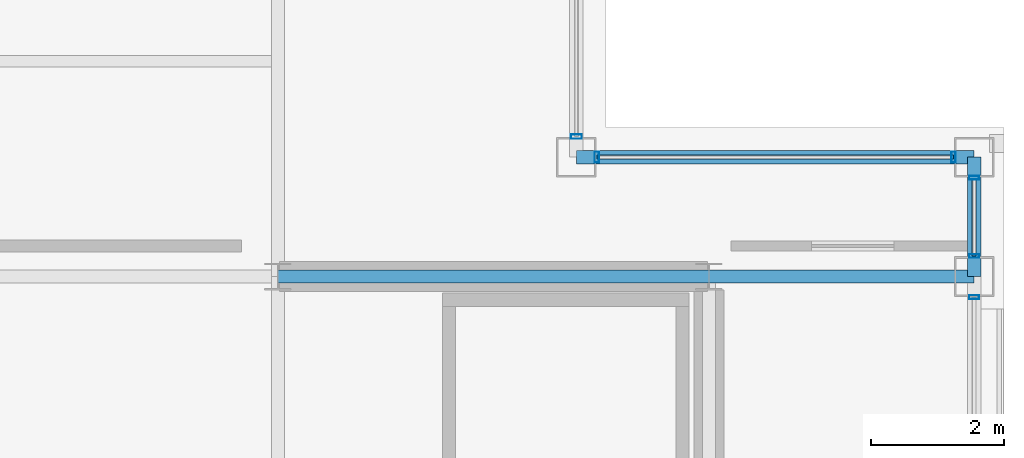
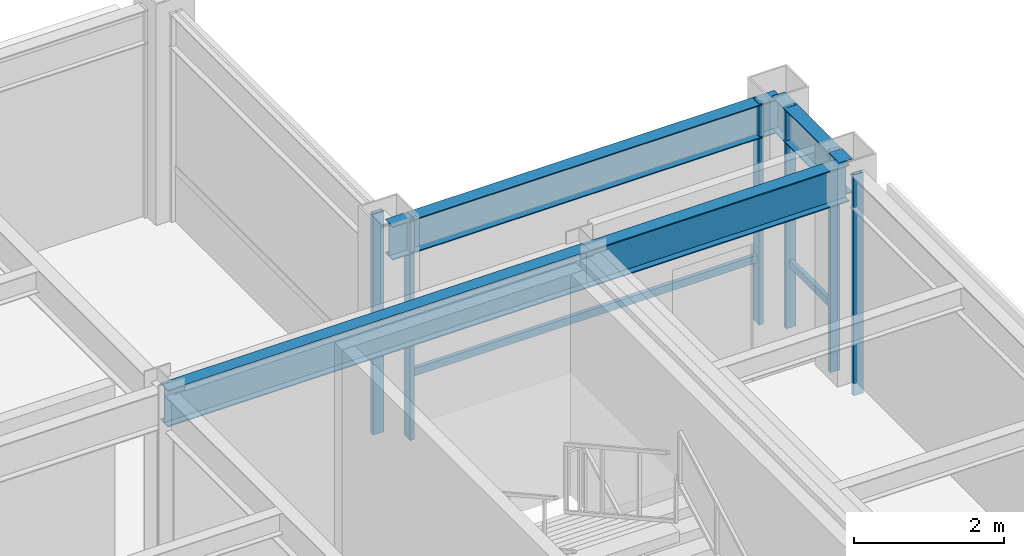
# One storey, part 17 of 27: 8 members, 4 beams, 4 elements without a shape of their own.
"""IFC4 building model written with IfcOpenShell, lengths in metres."""

from ifc_helpers import new_model, si_unit, direction, frame, origin, origin_2d, place, context, subcontext, project, spatial, hollow_rectangle, i_section, extrude, material, layer, layer_set, material_profile, profile_set, type_object, element, aggregate, save


model = new_model("IFC4")

# Units and contexts
model_context = context("Model", 3, precision=1e-05, world=origin(), true_north=direction((0.0, 1.0)))
body_context = subcontext(model_context, "Body", "Model", "MODEL_VIEW")
ifc_project = project(units=[si_unit("LENGTHUNIT", "METRE"), si_unit("AREAUNIT", "SQUARE_METRE"), si_unit("VOLUMEUNIT", "CUBIC_METRE"), si_unit("PLANEANGLEUNIT", "RADIAN"), si_unit("MASSUNIT", "GRAM", prefix="KILO")], contexts=[model_context])

# Site, building, storey
site_placement = place(None, origin())
site = spatial("IfcSite", under=ifc_project, at=site_placement, CompositionType="ELEMENT")
building_placement = place(site_placement, origin())
building = spatial("IfcBuilding", under=site, at=building_placement, Name="Brelmoor Portico Tower", CompositionType="ELEMENT")
storey_placement = place(building_placement, frame((0.0, 0.0, 250.800048828125)))
storey = spatial("IfcBuildingStorey", under=building, at=storey_placement, Name="L66", CompositionType="ELEMENT", Elevation=250.800048828125)

# Beams
ifc_material_1 = material(Name="Steel Q355B", Category="steel")
ifc_material_profile_1 = material_profile(ifc_material_1, i_section(OverallWidth=0.199951171875, OverallDepth=0.60009765625, WebThickness=0.010986328125, FlangeThickness=0.01708984375, at=origin_2d()), Name="HN 600x200x11x17")
ifc_profile_set_1 = profile_set([ifc_material_profile_1], Name="Steel Q355B")
beam_type_1 = type_object("IfcBeamType", Name="BM-PG-600", PredefinedType="BEAM", material=ifc_profile_set_1)
beam_1_placement = place(storey_placement, frame((8.050048828125, 9.75, 3.099853515625), z_axis=(1.0, 0.0, 0.0), x_axis=(0.0, 1.0, 0.0)))
element("IfcBeam", 1, at=beam_1_placement, inside=storey, type_object=beam_type_1, Name="L66 Primary Floor Girder PG-22", PredefinedType="BEAM", context=body_context, shape_type="SweptSolid", body=[
    extrude(i_section(OverallWidth=0.199951171875, OverallDepth=0.60009765625, WebThickness=0.010986328125, FlangeThickness=0.01708984375, at=origin_2d()), origin(), (0.0, 0.0, 1.0), 6.5),
])
beam_2_placement = place(storey_placement, frame((14.550048828125, 9.75, 3.099853515625), z_axis=(1.0, 0.0, 0.0), x_axis=(0.0, 1.0, 0.0)))
element("IfcBeam", 2, at=beam_2_placement, inside=storey, type_object=beam_type_1, Name="L66 Primary Floor Girder PG-23", PredefinedType="BEAM", context=body_context, shape_type="SweptSolid", body=[
    extrude(i_section(OverallWidth=0.199951171875, OverallDepth=0.60009765625, WebThickness=0.010986328125, FlangeThickness=0.01708984375, at=origin_2d()), origin(), (0.0, 0.0, 1.0), 4.0),
])
ifc_material_profile_2 = material_profile(ifc_material_1, i_section(OverallWidth=0.199951171875, OverallDepth=0.550048828125, WebThickness=0.010009765625, FlangeThickness=0.01611328125, at=origin_2d()), Name="HN 550x200x10x16")
ifc_profile_set_2 = profile_set([ifc_material_profile_2], Name="Steel Q355B")
beam_type_2 = type_object("IfcBeamType", Name="BM-SP-550", PredefinedType="SPANDREL", material=ifc_profile_set_2)
beam_3_placement = place(storey_placement, frame((12.550048828125, 11.550048828125, 3.125), z_axis=(1.0, 0.0, 0.0), x_axis=(0.0, 1.0, 0.0)))
element("IfcBeam", 3, at=beam_3_placement, inside=storey, type_object=beam_type_2, Name="L66 Perimeter Spandrel Beam SP-07", PredefinedType="SPANDREL", context=body_context, shape_type="SweptSolid", body=[
    extrude(i_section(OverallWidth=0.199951171875, OverallDepth=0.550048828125, WebThickness=0.010009765625, FlangeThickness=0.01611328125, at=origin_2d()), origin(), (0.0, 0.0, 1.0), 6.0),
])
beam_4_placement = place(storey_placement, frame((18.550048828125, 9.75, 3.125), z_axis=(0.0, 1.0, 0.0), x_axis=(-1.0, 0.0, 0.0)))
element("IfcBeam", 4, at=beam_4_placement, inside=storey, type_object=beam_type_2, Name="L66 Perimeter Spandrel Beam SP-20", PredefinedType="SPANDREL", context=body_context, shape_type="SweptSolid", body=[
    extrude(i_section(OverallWidth=0.199951171875, OverallDepth=0.550048828125, WebThickness=0.010009765625, FlangeThickness=0.01611328125, at=origin_2d()), origin(), (0.0, 0.0, 1.0), 1.800048828125),
])

# Curtain wall, member
ifc_material_2 = material(Name="Anodised Aluminium Alloy 6063-T6", Category="aluminium")
ifc_layer_1 = layer(ifc_material_2, 0.179931640625)
ifc_layer_set_1 = layer_set([ifc_layer_1], Name="Anodised Aluminium Alloy 6063-T6")
curtain_wall_type_1 = type_object("IfcCurtainWallType", Name="CW-TOWER-Z4-XB", PredefinedType="NOTDEFINED", material=ifc_layer_set_1)
curtain_wall_1_placement = place(storey_placement, origin())
curtain_wall_1 = element("IfcCurtainWall", 5, at=curtain_wall_1_placement, inside=storey, type_object=curtain_wall_type_1, Name="L66 Curtain Wall CW-L66-04-2", PredefinedType="NOTDEFINED")
ifc_material_profile_3 = material_profile(ifc_material_2, hollow_rectangle(XDim=0.06005859375, YDim=0.14990234375, WallThickness=0.00390625, at=origin_2d()), Name="ALU MULLION 60x150")
ifc_profile_set_3 = profile_set([ifc_material_profile_3], Name="Anodised Aluminium Alloy 6063-T6")
member_type_1 = type_object("IfcMemberType", Name="MB-CW-MULL-150", PredefinedType="MULLION", material=ifc_profile_set_3)
member_1_placement = place(storey_placement, frame((18.550048828125, 9.43994140625, -0.199951171875), z_axis=(0.0, 0.0, 1.0), x_axis=(0.0, 1.0, 0.0)))
member_1 = element("IfcMember", 6, at=member_1_placement, type_object=member_type_1, Name="CW-L66-04-2 Mullion 02", PredefinedType="MULLION", context=body_context, shape_type="SweptSolid", body=[
    extrude(hollow_rectangle(XDim=0.06005859375, YDim=0.14990234375, WallThickness=0.00390625, at=origin_2d()), origin(), (0.0, 0.0, 1.0), 3.599853515625),
])
aggregate(curtain_wall_1, [member_1])

# Curtain wall, members
ifc_layer_2 = layer(ifc_material_2, 0.179931640625)
ifc_layer_set_2 = layer_set([ifc_layer_2], Name="Anodised Aluminium Alloy 6063-T6")
curtain_wall_type_2 = type_object("IfcCurtainWallType", Name="CW-TOWER-Z4", PredefinedType="NOTDEFINED", material=ifc_layer_set_2)
curtain_wall_2_placement = place(storey_placement, origin())
curtain_wall_2 = element("IfcCurtainWall", 7, at=curtain_wall_2_placement, inside=storey, type_object=curtain_wall_type_2, Name="L66 Curtain Wall CW-L66-04-3", PredefinedType="NOTDEFINED")
member_2_placement = place(storey_placement, frame((18.550048828125, 10.06005859375, -0.199951171875), z_axis=(0.0, 0.0, 1.0), x_axis=(0.0, 1.0, 0.0)))
member_2 = element("IfcMember", 8, at=member_2_placement, type_object=member_type_1, Name="CW-L66-04-3 Mullion 00", PredefinedType="MULLION", context=body_context, shape_type="SweptSolid", body=[
    extrude(hollow_rectangle(XDim=0.06005859375, YDim=0.14990234375, WallThickness=0.00390625, at=origin_2d()), origin(), (0.0, 0.0, 1.0), 3.599853515625),
])
member_3_placement = place(storey_placement, frame((18.550048828125, 11.239990234375, -0.199951171875), z_axis=(0.0, 0.0, 1.0), x_axis=(0.0, 1.0, 0.0)))
member_3 = element("IfcMember", 9, at=member_3_placement, type_object=member_type_1, Name="CW-L66-04-3 Mullion 01", PredefinedType="MULLION", context=body_context, shape_type="SweptSolid", body=[
    extrude(hollow_rectangle(XDim=0.06005859375, YDim=0.14990234375, WallThickness=0.00390625, at=origin_2d()), origin(), (0.0, 0.0, 1.0), 3.599853515625),
])

ifc_layer_3 = layer(ifc_material_2, 0.179931640625)
ifc_layer_set_3 = layer_set([ifc_layer_3], Name="Anodised Aluminium Alloy 6063-T6")
curtain_wall_type_3 = type_object("IfcCurtainWallType", Name="CW-NOTCH-CHAMFER", PredefinedType="NOTDEFINED", material=ifc_layer_set_3)
curtain_wall_3_placement = place(storey_placement, origin())
curtain_wall_3 = element("IfcCurtainWall", 10, at=curtain_wall_3_placement, inside=storey, type_object=curtain_wall_type_3, Name="L66 Curtain Wall CWN-L66-NEH", PredefinedType="NOTDEFINED")
ifc_material_profile_4 = material_profile(ifc_material_2, hollow_rectangle(XDim=0.06494140625, YDim=0.1650390625, WallThickness=0.00390625, at=origin_2d()), Name="ALU MULLION 65x165")
ifc_profile_set_4 = profile_set([ifc_material_profile_4], Name="Anodised Aluminium Alloy 6063-T6")
member_type_2 = type_object("IfcMemberType", Name="MB-CW-MULL-165", PredefinedType="MULLION", material=ifc_profile_set_4)
member_4_placement = place(storey_placement, frame((12.860107421875, 11.550048828125, -0.199951171875), z_axis=(0.0, 0.0, 1.0), x_axis=(1.0, 0.0, 0.0)))
member_4 = element("IfcMember", 11, at=member_4_placement, type_object=member_type_2, Name="CWN-L66-NEH Mullion 00", PredefinedType="MULLION", context=body_context, shape_type="SweptSolid", body=[
    extrude(hollow_rectangle(XDim=0.06494140625, YDim=0.1650390625, WallThickness=0.00390625, at=origin_2d()), origin(), (0.0, 0.0, 1.0), 3.599853515625),
])
member_5_placement = place(storey_placement, frame((18.239990234375, 11.550048828125, -0.199951171875), z_axis=(0.0, 0.0, 1.0), x_axis=(1.0, 0.0, 0.0)))
member_5 = element("IfcMember", 12, at=member_5_placement, type_object=member_type_2, Name="CWN-L66-NEH Mullion 01", PredefinedType="MULLION", context=body_context, shape_type="SweptSolid", body=[
    extrude(hollow_rectangle(XDim=0.06494140625, YDim=0.1650390625, WallThickness=0.00390625, at=origin_2d()), origin(), (0.0, 0.0, 1.0), 3.599853515625),
])

# Curtain wall, member
curtain_wall_4_placement = place(storey_placement, origin())
curtain_wall_4 = element("IfcCurtainWall", 13, at=curtain_wall_4_placement, inside=storey, type_object=curtain_wall_type_3, Name="L66 Curtain Wall CWN-L66-NEV", PredefinedType="NOTDEFINED")
member_6_placement = place(storey_placement, frame((12.550048828125, 11.860107421875, -0.199951171875), z_axis=(0.0, 0.0, 1.0), x_axis=(0.0, 1.0, 0.0)))
member_6 = element("IfcMember", 14, at=member_6_placement, type_object=member_type_2, Name="CWN-L66-NEV Mullion 00", PredefinedType="MULLION", context=body_context, shape_type="SweptSolid", body=[
    extrude(hollow_rectangle(XDim=0.06494140625, YDim=0.1650390625, WallThickness=0.00390625, at=origin_2d()), origin(), (0.0, 0.0, 1.0), 3.599853515625),
])
aggregate(curtain_wall_4, [member_6])

# Member
ifc_material_profile_5 = material_profile(ifc_material_2, hollow_rectangle(XDim=0.06005859375, YDim=0.125, WallThickness=0.00341796875, at=origin_2d()), Name="ALU TRANSOM 60x125")
ifc_profile_set_5 = profile_set([ifc_material_profile_5], Name="Anodised Aluminium Alloy 6063-T6")
member_type_3 = type_object("IfcMemberType", Name="MB-CW-TRAN-125", PredefinedType="USERDEFINED", material=ifc_profile_set_5)
member_7_placement = place(storey_placement, frame((18.550048828125, 10.06005859375, 0.849853515625), z_axis=(0.0, 1.0, 0.0), x_axis=(-1.0, 0.0, 0.0)))
member_7 = element("IfcMember", 15, at=member_7_placement, type_object=member_type_3, Name="CW-L66-04-3 Transom 1-00", ObjectType="TRANSOM", PredefinedType="USERDEFINED", context=body_context, shape_type="SweptSolid", body=[
    extrude(hollow_rectangle(XDim=0.06005859375, YDim=0.125, WallThickness=0.00341796875, at=origin_2d()), origin(), (0.0, 0.0, 1.0), 1.179931640625),
])

aggregate(curtain_wall_2, [member_2, member_3, member_7])

member_8_placement = place(storey_placement, frame((12.860107421875, 11.550048828125, 0.849853515625), z_axis=(1.0, 0.0, 0.0), x_axis=(0.0, 1.0, 0.0)))
member_8 = element("IfcMember", 16, at=member_8_placement, type_object=member_type_3, Name="CWN-L66-NEH Transom 1-00", ObjectType="TRANSOM", PredefinedType="USERDEFINED", context=body_context, shape_type="SweptSolid", body=[
    extrude(hollow_rectangle(XDim=0.06005859375, YDim=0.125, WallThickness=0.00341796875, at=origin_2d()), origin(), (0.0, 0.0, 1.0), 5.3798828125),
])

aggregate(curtain_wall_3, [member_4, member_5, member_8])

save(model, "model.ifc")
